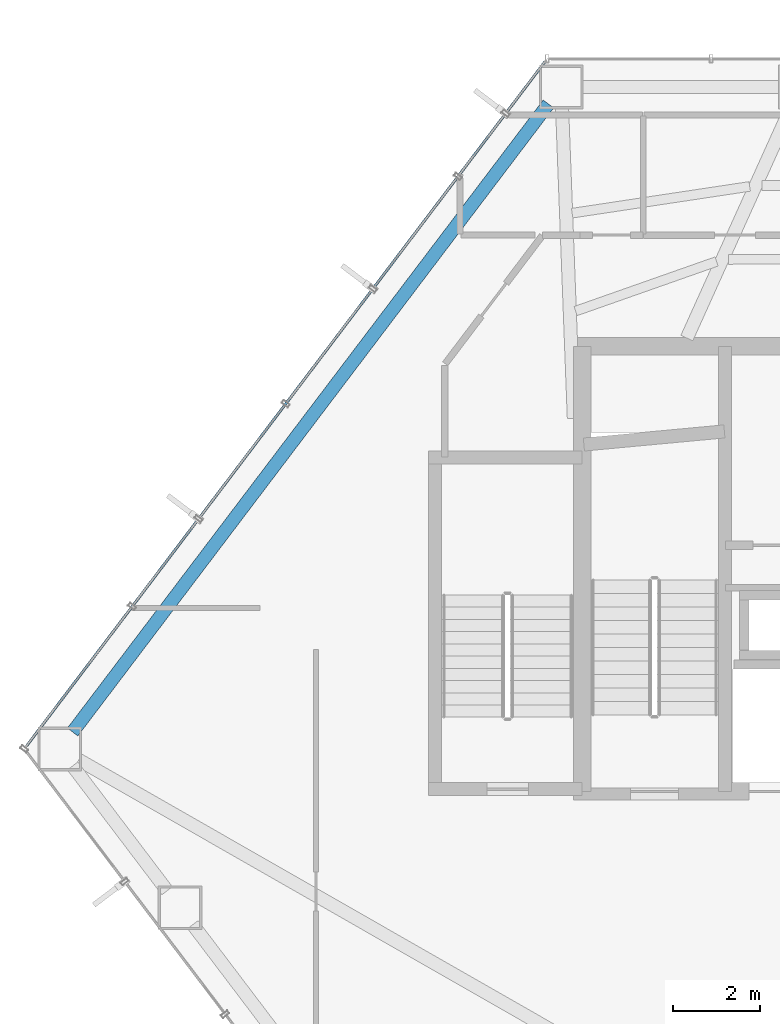
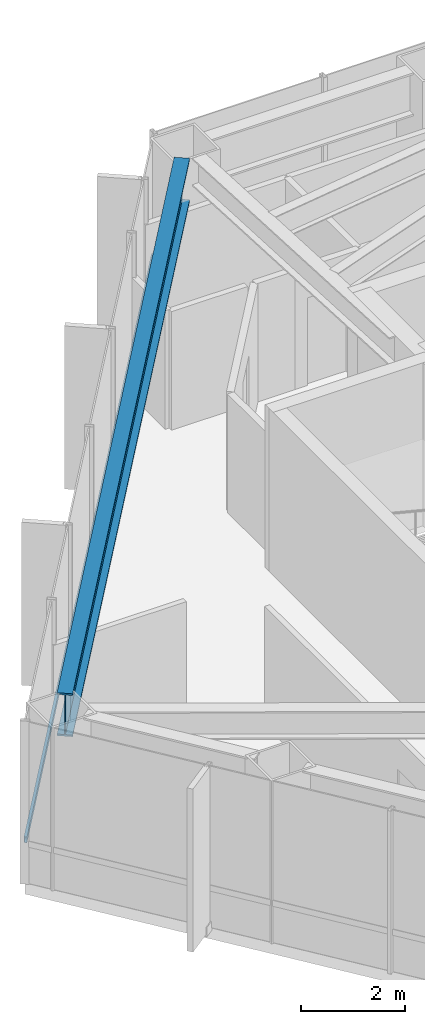
# One storey, part 11 of 25: 1 beam, 1 member, 1 element without a shape of its own.
"""IFC4 building model written with IfcOpenShell, lengths in metres."""

from ifc_helpers import new_model, si_unit, direction, frame, origin, origin_2d, place, context, subcontext, project, spatial, hollow_rectangle, i_section, extrude, material, layer, layer_set, material_profile, profile_set, type_object, element, aggregate, save


model = new_model("IFC4")

# Units and contexts
model_context = context("Model", 3, precision=1e-05, world=origin(), true_north=direction((0.0, 1.0)))
body_context = subcontext(model_context, "Body", "Model", "MODEL_VIEW")
ifc_project = project(units=[si_unit("LENGTHUNIT", "METRE"), si_unit("AREAUNIT", "SQUARE_METRE"), si_unit("VOLUMEUNIT", "CUBIC_METRE"), si_unit("PLANEANGLEUNIT", "RADIAN"), si_unit("MASSUNIT", "GRAM", prefix="KILO")], contexts=[model_context])

# Site, building, storey
site_placement = place(None, origin())
site = spatial("IfcSite", under=ifc_project, at=site_placement, CompositionType="ELEMENT")
building_placement = place(site_placement, origin())
building = spatial("IfcBuilding", under=site, at=building_placement, Name="Zarrinselat Tower", CompositionType="ELEMENT")
storey_placement = place(building_placement, frame((0.0, 0.0, 39.780029296875)))
storey = spatial("IfcBuildingStorey", under=building, at=storey_placement, Name="L09", CompositionType="ELEMENT", Elevation=39.780029296875)

# Beam
ifc_material_1 = material(Name="Steel S460M", Category="steel")
ifc_material_profile_1 = material_profile(ifc_material_1, i_section(OverallWidth=0.302001953125, OverallDepth=1.008056640625, WebThickness=0.02099609375, FlangeThickness=0.0400390625, at=origin_2d()), Name="HEM 1000")
ifc_profile_set_1 = profile_set([ifc_material_profile_1], Name="Steel S460M")
beam_type = type_object("IfcBeamType", Name="BM-HEM1000", PredefinedType="BEAM", material=ifc_profile_set_1)
beam_placement = place(storey_placement, frame((16.921875, 34.610107421875, 3.31591796875), z_axis=(0.603858208545, 0.797091753798, 0.0), x_axis=(-0.797091753798, 0.603858208545, 0.0)))
element("IfcBeam", 1, at=beam_placement, inside=storey, type_object=beam_type, Name="L09 Perimeter Spandrel Girder SP05", PredefinedType="BEAM", context=body_context, shape_type="SweptSolid", body=[
    extrude(i_section(OverallWidth=0.302001953125, OverallDepth=1.008056640625, WebThickness=0.02099609375, FlangeThickness=0.0400390625, at=origin_2d()), origin(), (0.0, 0.0, 1.0), 18.059814453125),
])

# Curtain wall, member
ifc_material_2 = material(Name="Extruded Aluminium Alloy EN AW-6063 T6", Category="aluminium")
ifc_layer = layer(ifc_material_2, 0.18505859375)
ifc_layer_set = layer_set([ifc_layer], Name="Extruded Aluminium Alloy EN AW-6063 T6")
curtain_wall_type = type_object("IfcCurtainWallType", Name="CWS-OFF", PredefinedType="NOTDEFINED", material=ifc_layer_set)
curtain_wall_placement = place(storey_placement, origin())
curtain_wall = element("IfcCurtainWall", 2, at=curtain_wall_placement, inside=storey, type_object=curtain_wall_type, Name="L09 Unitised Curtain Wall CW-L09-E02", PredefinedType="NOTDEFINED")
ifc_material_3 = material(Name="Extruded Aluminium Alloy EN AW-6063 T6", Category="aluminium")
ifc_material_profile_2 = material_profile(ifc_material_3, hollow_rectangle(XDim=0.06005859375, YDim=0.139892578125, WallThickness=0.00390625, at=origin_2d()), Name="RHS 140x60x4")
ifc_profile_set_2 = profile_set([ifc_material_profile_2], Name="Extruded Aluminium Alloy EN AW-6063 T6")
member_type = type_object("IfcMemberType", Name="MEM-CW-TRN", PredefinedType="USERDEFINED", material=ifc_profile_set_2)
member_placement = place(storey_placement, frame((27.744873046875, 49.97265625, 0.949951171875), z_axis=(-0.603863183809, -0.797087984629, 0.0), x_axis=(0.797087984629, -0.603863183809, 0.0)))
member = element("IfcMember", 3, at=member_placement, type_object=member_type, Name="CW-L09-E02 Transom 1", ObjectType="TRANSOM", PredefinedType="USERDEFINED", context=body_context, shape_type="SweptSolid", body=[
    extrude(hollow_rectangle(XDim=0.06005859375, YDim=0.139892578125, WallThickness=0.00390625, at=origin_2d()), origin(), (0.0, 0.0, 1.0), 19.671630859375),
])
aggregate(curtain_wall, [member])

save(model, "model.ifc")
